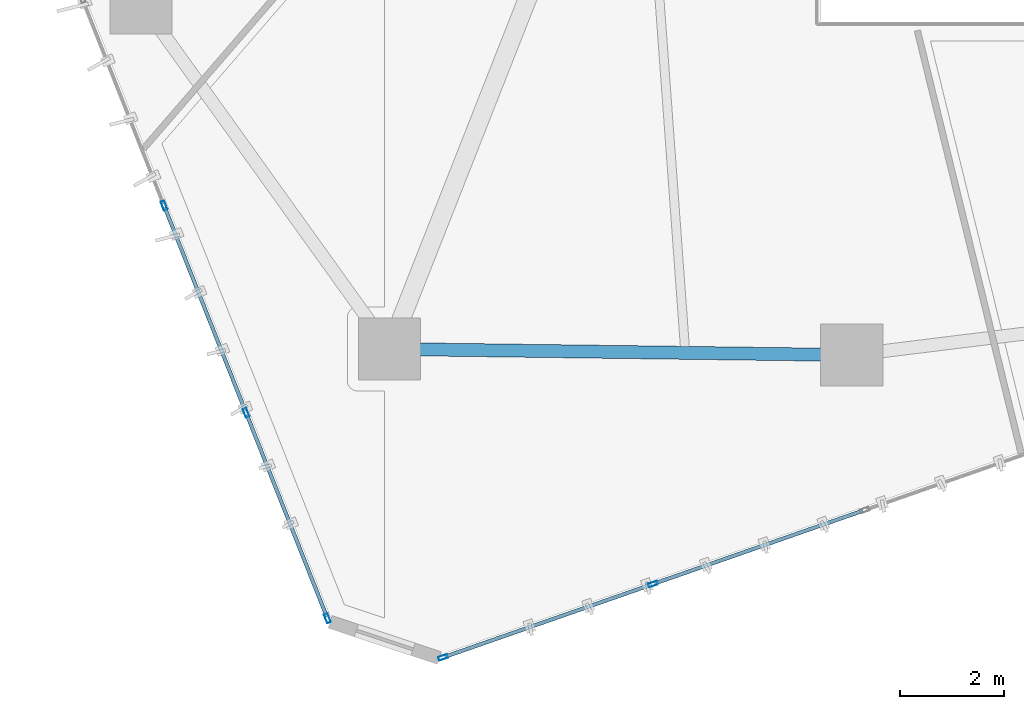
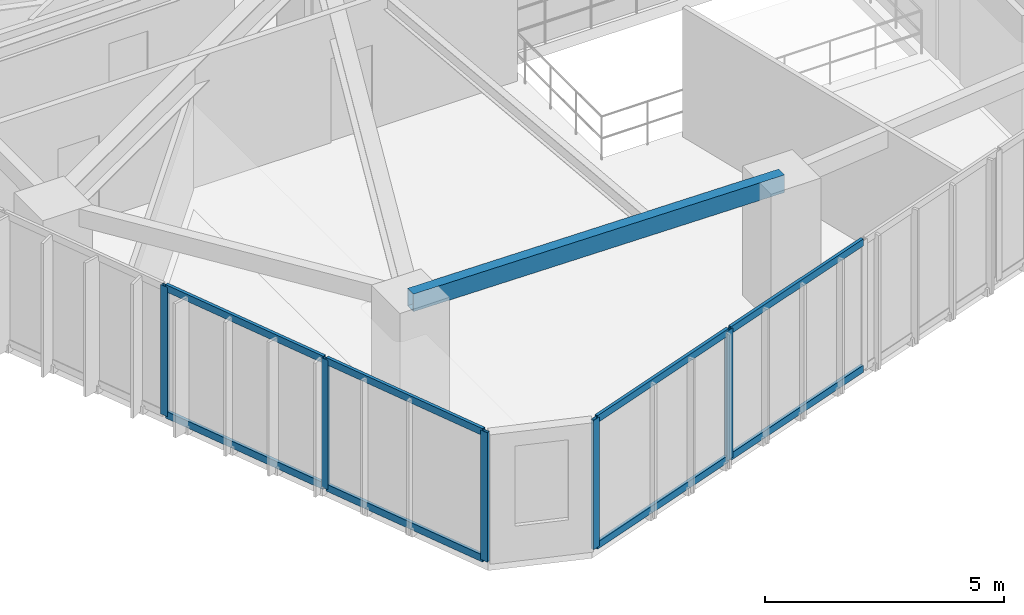
# One storey, part 2 of 21: 13 members, 1 beam, 2 elements without a shape of their own.
"""IFC4 building model written with IfcOpenShell, lengths in metres."""

from ifc_helpers import new_model, si_unit, direction, frame, origin, origin_2d, place, context, subcontext, project, spatial, hollow_rectangle, extrude, source, transform, mapped, material, layer, layer_set, material_profile, profile_set, type_object, type_shapes, element, aggregate, save


model = new_model("IFC4")

# Units and contexts
model_context = context("Model", 3, precision=1e-05, world=origin(), true_north=direction((0.0, 1.0)))
body_context = subcontext(model_context, "Body", "Model", "MODEL_VIEW")
ifc_project = project(units=[si_unit("LENGTHUNIT", "METRE"), si_unit("AREAUNIT", "SQUARE_METRE"), si_unit("VOLUMEUNIT", "CUBIC_METRE"), si_unit("PLANEANGLEUNIT", "RADIAN"), si_unit("MASSUNIT", "GRAM", prefix="KILO")], contexts=[model_context])

# Site, building, storey
site_placement = place(None, origin())
site = spatial("IfcSite", under=ifc_project, at=site_placement, CompositionType="ELEMENT")
building_placement = place(site_placement, origin())
building = spatial("IfcBuilding", under=site, at=building_placement, Name="Talar Marvaseh", CompositionType="ELEMENT")
storey_placement = place(building_placement, frame((0.0, 0.0, 147.0)))
storey = spatial("IfcBuildingStorey", under=building, at=storey_placement, Name="L38", CompositionType="ELEMENT", Elevation=147.0)

# Beam
ifc_material_1 = material(Name="Steel S355", Category="steel")
ifc_material_profile_1 = material_profile(ifc_material_1, hollow_rectangle(XDim=0.25, YDim=0.449951171875, WallThickness=0.01611328125, at=origin_2d()), Name="RHS450x250x16")
ifc_profile_set_1 = profile_set([ifc_material_profile_1], Name="Steel S355")
beam_type = type_object("IfcBeamType", Name="Zone 2 Perimeter Spandrel Beam RHS450x250x16", PredefinedType="SPANDREL", material=ifc_profile_set_1)
beam_placement = place(storey_placement, frame((22.804931640625, 13.18310546875, 3.0849609375), z_axis=(-0.999915383581, 0.013008677034, 0.0), x_axis=(-0.013008677034, -0.999915383581, 0.0)))
element("IfcBeam", 1, at=beam_placement, inside=storey, type_object=beam_type, Name="L38 Zone 2 Perimeter Spandrel Beam RHS450x250x16", PredefinedType="SPANDREL", context=body_context, shape_type="SweptSolid", body=[
    extrude(hollow_rectangle(XDim=0.25, YDim=0.449951171875, WallThickness=0.01611328125, at=origin_2d()), origin(), (0.0, 0.0, 1.0), 8.91455078125),
])

# Curtain wall, members
ifc_material_2 = material(Name="Architectural Aluminium", Category="aluminium")
ifc_layer = layer(ifc_material_2, 0.199951171875)
ifc_layer_set = layer_set([ifc_layer], Name="Architectural Aluminium")
curtain_wall_type = type_object("IfcCurtainWallType", Name="Unitised Acoustic Library Curtain Wall Z2", PredefinedType="NOTDEFINED", material=ifc_layer_set)
curtain_wall_1_placement = place(storey_placement, origin())
curtain_wall_1 = element("IfcCurtainWall", 2, at=curtain_wall_1_placement, inside=storey, type_object=curtain_wall_type, Name="L38 Unitised Acoustic Library Curtain Wall Z2", PredefinedType="NOTDEFINED")
ifc_material_profile_2 = material_profile(ifc_material_2, hollow_rectangle(XDim=0.074951171875, YDim=0.179931640625, WallThickness=0.0048828125, at=origin_2d()), Name="RHS180x75x5")
ifc_profile_set_2 = profile_set([ifc_material_profile_2], Name="Architectural Aluminium")
member_type_1 = type_object("IfcMemberType", Name="Unitised Curtain Wall Standard Mullion RHS180x75x5", PredefinedType="MULLION", material=ifc_profile_set_2)
shared_shape_1 = source(origin(), body_context, "Body", "SweptSolid", [
    extrude(hollow_rectangle(XDim=0.074951171875, YDim=0.179931640625, WallThickness=0.0048828125, at=origin_2d()), origin(), (0.0, 0.0, 1.0), 3.31005859375),
])
type_shapes(member_type_1, [shared_shape_1])
member_1_placement = place(storey_placement, frame((12.6962890625, 8.107177734375, 0.0), z_axis=(0.0, 0.0, 1.0), x_axis=(-0.929802175625, -0.368059661202, 0.0)))
member_1 = element("IfcMember", 3, at=member_1_placement, type_object=member_type_1, Name="CW-Z2 mullion 1", PredefinedType="MULLION", context=body_context, shape_type="MappedRepresentation", body=[
    mapped(shared_shape_1, transform((0.0, 0.0, 0.0), x_axis=(1.0, 0.0, 0.0), y_axis=(0.0, 1.0, 0.0), z_axis=(0.0, 0.0, 1.0), scale=1.0)),
])
member_2_placement = place(storey_placement, frame((11.12841796875, 12.068359375, 0.0), z_axis=(0.0, 0.0, 1.0), x_axis=(-0.929802175625, -0.368059661202, 0.0)))
member_2 = element("IfcMember", 4, at=member_2_placement, type_object=member_type_1, Name="CW-Z2 mullion 2", PredefinedType="MULLION", context=body_context, shape_type="MappedRepresentation", body=[
    mapped(shared_shape_1, transform((0.0, 0.0, 0.0), x_axis=(1.0, 0.0, 0.0), y_axis=(0.0, 1.0, 0.0), z_axis=(0.0, 0.0, 1.0), scale=1.0)),
])
member_3_placement = place(storey_placement, frame((9.54638671875, 16.064453125, 0.0), z_axis=(0.0, 0.0, 1.0), x_axis=(-0.929802175625, -0.368059661202, 0.0)))
member_3 = element("IfcMember", 5, at=member_3_placement, type_object=member_type_1, Name="CW-Z2 mullion 3", PredefinedType="MULLION", context=body_context, shape_type="MappedRepresentation", body=[
    mapped(shared_shape_1, transform((0.0, 0.0, 0.0), x_axis=(1.0, 0.0, 0.0), y_axis=(0.0, 1.0, 0.0), z_axis=(0.0, 0.0, 1.0), scale=1.0)),
])

curtain_wall_2_placement = place(storey_placement, origin())
curtain_wall_2 = element("IfcCurtainWall", 6, at=curtain_wall_2_placement, inside=storey, type_object=curtain_wall_type, Name="L38 Unitised Acoustic Library Curtain Wall Z2", PredefinedType="NOTDEFINED")
member_4_placement = place(storey_placement, frame((18.9716796875, 8.766845703125, 0.0), z_axis=(0.0, 0.0, 1.0), x_axis=(0.329836690552, -0.94403800642, 0.0)))
member_4 = element("IfcMember", 7, at=member_4_placement, type_object=member_type_1, Name="CW-Z2 mullion 5", PredefinedType="MULLION", context=body_context, shape_type="MappedRepresentation", body=[
    mapped(shared_shape_1, transform((0.0, 0.0, 0.0), x_axis=(1.0, 0.0, 0.0), y_axis=(0.0, 1.0, 0.0), z_axis=(0.0, 0.0, 1.0), scale=1.0)),
])
member_5_placement = place(storey_placement, frame((14.92529296875, 7.353271484375, 0.0), z_axis=(0.0, 0.0, 1.0), x_axis=(0.329836690552, -0.94403800642, 0.0)))
member_5 = element("IfcMember", 8, at=member_5_placement, type_object=member_type_1, Name="CW-Z2 mullion 6", PredefinedType="MULLION", context=body_context, shape_type="MappedRepresentation", body=[
    mapped(shared_shape_1, transform((0.0, 0.0, 0.0), x_axis=(1.0, 0.0, 0.0), y_axis=(0.0, 1.0, 0.0), z_axis=(0.0, 0.0, 1.0), scale=1.0)),
])

# Member
ifc_material_profile_3 = material_profile(ifc_material_2, hollow_rectangle(XDim=0.074951171875, YDim=0.179931640625, WallThickness=0.0048828125, at=origin_2d()), Name="RHS180x75x5")
ifc_profile_set_3 = profile_set([ifc_material_profile_3], Name="Architectural Aluminium")
member_type_2 = type_object("IfcMemberType", Name="Unitised Curtain Wall Transom RHS180x75x5", PredefinedType="USERDEFINED", material=ifc_profile_set_3)
shared_shape_2 = source(origin(), body_context, "Body", "SweptSolid", [
    extrude(hollow_rectangle(XDim=0.074951171875, YDim=0.179931640625, WallThickness=0.0048828125, at=origin_2d()), origin(), (0.0, 0.0, 1.0), 4.222900390625),
])
member_6_placement = place(storey_placement, frame((11.114501953125, 12.103271484375, 0.03759765625), z_axis=(-0.368039079387, 0.929810322616, 0.0), x_axis=(-0.929810322616, -0.368039079387, 0.0)))
member_6 = element("IfcMember", 9, at=member_6_placement, type_object=member_type_2, Name="CW-Z2 transom 2.1", ObjectType="TRANSOM", PredefinedType="USERDEFINED", context=body_context, shape_type="MappedRepresentation", body=[
    mapped(shared_shape_2, transform((0.0, 0.0, 0.0), x_axis=(1.0, 0.0, 0.0), y_axis=(0.0, 1.0, 0.0), z_axis=(0.0, 0.0, 1.0), scale=1.0)),
])

member_7_placement = place(storey_placement, frame((11.114501953125, 12.103271484375, 3.2724609375), z_axis=(-0.368039079387, 0.929810322616, 0.0), x_axis=(-0.929810322616, -0.368039079387, 0.0)))
member_7 = element("IfcMember", 10, at=member_7_placement, type_object=member_type_2, Name="CW-Z2 transom 2.2", ObjectType="TRANSOM", PredefinedType="USERDEFINED", context=body_context, shape_type="MappedRepresentation", body=[
    mapped(shared_shape_2, transform((0.0, 0.0, 0.0), x_axis=(1.0, 0.0, 0.0), y_axis=(0.0, 1.0, 0.0), z_axis=(0.0, 0.0, 1.0), scale=1.0)),
])

shared_shape_3 = source(origin(), body_context, "Body", "SweptSolid", [
    extrude(hollow_rectangle(XDim=0.074951171875, YDim=0.179931640625, WallThickness=0.0048828125, at=origin_2d()), origin(), (0.0, 0.0, 1.0), 4.185546875),
])
member_8_placement = place(storey_placement, frame((12.6826171875, 8.141845703125, 0.03759765625), z_axis=(-0.368069463255, 0.929798295449, 0.0), x_axis=(-0.929798295449, -0.368069463255, 0.0)))
member_8 = element("IfcMember", 11, at=member_8_placement, type_object=member_type_2, Name="CW-Z2 transom 1.1", ObjectType="TRANSOM", PredefinedType="USERDEFINED", context=body_context, shape_type="MappedRepresentation", body=[
    mapped(shared_shape_3, transform((0.0, 0.0, 0.0), x_axis=(1.0, 0.0, 0.0), y_axis=(0.0, 1.0, 0.0), z_axis=(0.0, 0.0, 1.0), scale=1.0)),
])

member_9_placement = place(storey_placement, frame((12.6826171875, 8.141845703125, 3.2724609375), z_axis=(-0.368069463255, 0.929798295449, 0.0), x_axis=(-0.929798295449, -0.368069463255, 0.0)))
member_9 = element("IfcMember", 12, at=member_9_placement, type_object=member_type_2, Name="CW-Z2 transom 1.2", ObjectType="TRANSOM", PredefinedType="USERDEFINED", context=body_context, shape_type="MappedRepresentation", body=[
    mapped(shared_shape_3, transform((0.0, 0.0, 0.0), x_axis=(1.0, 0.0, 0.0), y_axis=(0.0, 1.0, 0.0), z_axis=(0.0, 0.0, 1.0), scale=1.0)),
])

aggregate(curtain_wall_1, [member_1, member_2, member_3, member_8, member_9, member_6, member_7])

shared_shape_4 = source(origin(), body_context, "Body", "SweptSolid", [
    extrude(hollow_rectangle(XDim=0.074951171875, YDim=0.179931640625, WallThickness=0.0048828125, at=origin_2d()), origin(), (0.0, 0.0, 1.0), 4.211181640625),
])
member_10_placement = place(storey_placement, frame((18.936279296875, 8.75439453125, 0.03759765625), z_axis=(-0.944046198917, -0.329813241564, 0.0), x_axis=(0.329813241564, -0.944046198917, 0.0)))
member_10 = element("IfcMember", 13, at=member_10_placement, type_object=member_type_2, Name="CW-Z2 transom 5.1", ObjectType="TRANSOM", PredefinedType="USERDEFINED", context=body_context, shape_type="MappedRepresentation", body=[
    mapped(shared_shape_4, transform((0.0, 0.0, 0.0), x_axis=(1.0, 0.0, 0.0), y_axis=(0.0, 1.0, 0.0), z_axis=(0.0, 0.0, 1.0), scale=1.0)),
])

member_11_placement = place(storey_placement, frame((18.936279296875, 8.75439453125, 3.2724609375), z_axis=(-0.944046198917, -0.329813241564, 0.0), x_axis=(0.329813241564, -0.944046198917, 0.0)))
member_11 = element("IfcMember", 14, at=member_11_placement, type_object=member_type_2, Name="CW-Z2 transom 5.2", ObjectType="TRANSOM", PredefinedType="USERDEFINED", context=body_context, shape_type="MappedRepresentation", body=[
    mapped(shared_shape_4, transform((0.0, 0.0, 0.0), x_axis=(1.0, 0.0, 0.0), y_axis=(0.0, 1.0, 0.0), z_axis=(0.0, 0.0, 1.0), scale=1.0)),
])

shared_shape_5 = source(origin(), body_context, "Body", "SweptSolid", [
    extrude(hollow_rectangle(XDim=0.074951171875, YDim=0.179931640625, WallThickness=0.0048828125, at=origin_2d()), origin(), (0.0, 0.0, 1.0), 4.24853515625),
])
type_shapes(member_type_2, [shared_shape_2, shared_shape_3, shared_shape_4, shared_shape_5])
member_12_placement = place(storey_placement, frame((23.017822265625, 10.1806640625, 0.03759765625), z_axis=(-0.944033817416, -0.329848679813, 0.0), x_axis=(0.329848679813, -0.944033817416, 0.0)))
member_12 = element("IfcMember", 15, at=member_12_placement, type_object=member_type_2, Name="CW-Z2 transom 4.1", ObjectType="TRANSOM", PredefinedType="USERDEFINED", context=body_context, shape_type="MappedRepresentation", body=[
    mapped(shared_shape_5, transform((0.0, 0.0, 0.0), x_axis=(1.0, 0.0, 0.0), y_axis=(0.0, 1.0, 0.0), z_axis=(0.0, 0.0, 1.0), scale=1.0)),
])

member_13_placement = place(storey_placement, frame((23.017822265625, 10.1806640625, 3.2724609375), z_axis=(-0.944033817416, -0.329848679813, 0.0), x_axis=(0.329848679813, -0.944033817416, 0.0)))
member_13 = element("IfcMember", 16, at=member_13_placement, type_object=member_type_2, Name="CW-Z2 transom 4.2", ObjectType="TRANSOM", PredefinedType="USERDEFINED", context=body_context, shape_type="MappedRepresentation", body=[
    mapped(shared_shape_5, transform((0.0, 0.0, 0.0), x_axis=(1.0, 0.0, 0.0), y_axis=(0.0, 1.0, 0.0), z_axis=(0.0, 0.0, 1.0), scale=1.0)),
])

aggregate(curtain_wall_2, [member_4, member_5, member_12, member_13, member_10, member_11])

save(model, "model.ifc")
